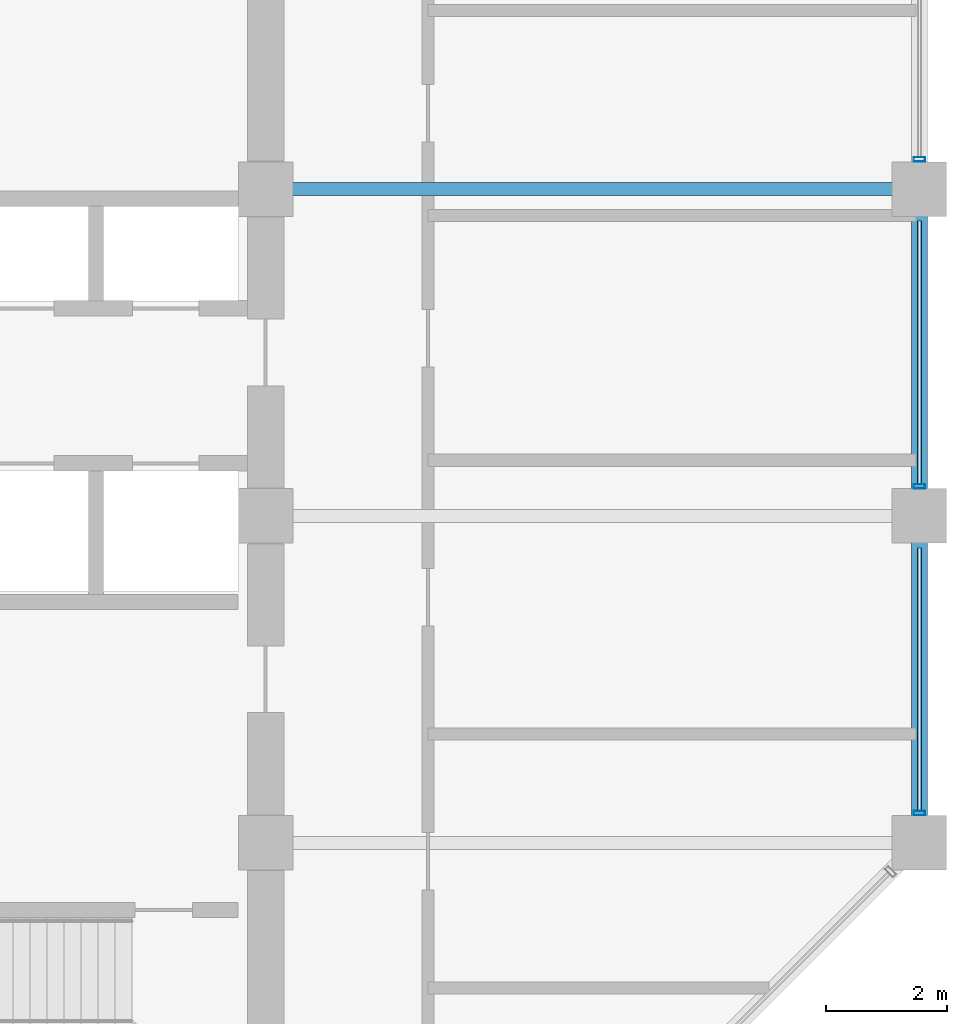
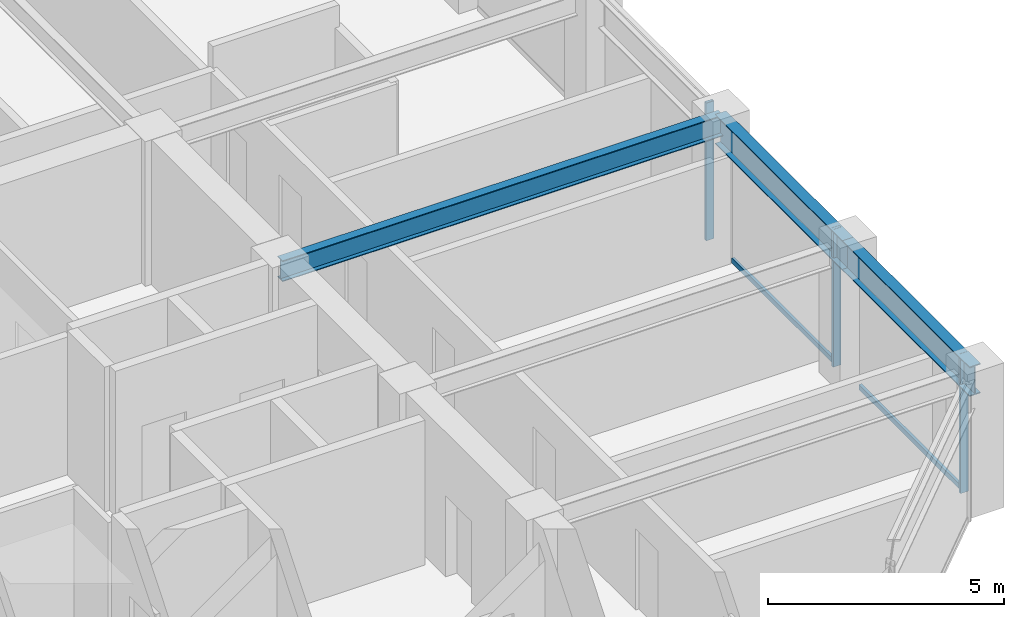
# One storey, part 14 of 32: 5 members, 3 beams, 1 element without a shape of its own.
"""IFC4 building model written with IfcOpenShell, lengths in metres."""

from ifc_helpers import new_model, si_unit, direction, frame, origin, origin_2d, place, context, subcontext, project, spatial, hollow_rectangle, i_section, extrude, material, layer, layer_set, material_profile, profile_set, type_object, element, aggregate, save


model = new_model("IFC4")

# Units and contexts
model_context = context("Model", 3, precision=1e-05, world=origin(), true_north=direction((0.0, 1.0)))
body_context = subcontext(model_context, "Body", "Model", "MODEL_VIEW")
ifc_project = project(units=[si_unit("LENGTHUNIT", "METRE"), si_unit("AREAUNIT", "SQUARE_METRE"), si_unit("VOLUMEUNIT", "CUBIC_METRE"), si_unit("PLANEANGLEUNIT", "RADIAN"), si_unit("MASSUNIT", "GRAM", prefix="KILO")], contexts=[model_context])

# Site, building, storey
site_placement = place(None, origin())
site = spatial("IfcSite", under=ifc_project, at=site_placement, CompositionType="ELEMENT")
building_placement = place(site_placement, origin())
building = spatial("IfcBuilding", under=site, at=building_placement, Name="Surkhivell Harbour Commons", CompositionType="ELEMENT")
storey_placement = place(building_placement, frame((0.0, 0.0, 212.25)))
storey = spatial("IfcBuildingStorey", under=building, at=storey_placement, Name="L55", CompositionType="ELEMENT", Elevation=212.25)

# Beams
ifc_material_1 = material(Name="Steel S355", Category="steel")
ifc_material_profile_1 = material_profile(ifc_material_1, i_section(OverallWidth=0.2119140625, OverallDepth=0.5439453125, WebThickness=0.0126953125, FlangeThickness=0.021240234375, at=origin_2d()), Name="UB533x210x122")
ifc_profile_set_1 = profile_set([ifc_material_profile_1], Name="Steel S355")
beam_type_1 = type_object("IfcBeamType", Name="BM-GRD-533A", PredefinedType="BEAM", material=ifc_profile_set_1)
beam_placement = place(storey_placement, frame((10.800048828125, 5.39990234375, 3.298095703125), z_axis=(1.0, 0.0, 0.0), x_axis=(0.0, 1.0, 0.0)))
element("IfcBeam", 1, at=beam_placement, inside=storey, type_object=beam_type_1, Name="L55 Floor Girder (10.8,5.4)", PredefinedType="BEAM", context=body_context, shape_type="SweptSolid", body=[
    extrude(i_section(OverallWidth=0.2119140625, OverallDepth=0.5439453125, WebThickness=0.0126953125, FlangeThickness=0.021240234375, at=origin_2d()), origin(), (0.0, 0.0, 1.0), 10.800048828125),
])
ifc_material_profile_2 = material_profile(ifc_material_1, i_section(OverallWidth=0.26806640625, OverallDepth=0.77001953125, WebThickness=0.015625, FlangeThickness=0.025390625, at=origin_2d()), Name="UB762x267x197")
ifc_profile_set_2 = profile_set([ifc_material_profile_2], Name="Steel S355")
beam_type_2 = type_object("IfcBeamType", Name="BM-SPN-762", PredefinedType="SPANDREL", material=ifc_profile_set_2)
for number, where, z_axis, x_axis, name in (
    (2, (21.60009765625, -5.39990234375, 3.18505859375), (0.0, 1.0, 0.0), (-1.0, 0.0, 0.0), "L55 Tube Spandrel (21.6,-5.4)"),
    (3, (21.60009765625, 0.0, 3.18505859375), (0.0, 1.0, 0.0), (-1.0, 0.0, 0.0), "L55 Tube Spandrel (21.6,0.0)"),
):
    element("IfcBeam", number, at=place(storey_placement, frame(where, z_axis=z_axis, x_axis=x_axis)), inside=storey, type_object=beam_type_2, Name=name, PredefinedType="SPANDREL", context=body_context, shape_type="SweptSolid", body=[
        extrude(i_section(OverallWidth=0.26806640625, OverallDepth=0.77001953125, WebThickness=0.015625, FlangeThickness=0.025390625, at=origin_2d()), origin(), (0.0, 0.0, 1.0), 5.39990234375),
    ])

# Curtain wall, members
ifc_material_2 = material(Name="Anodised pale-metal aluminium and insulated glazing", Category="aluminium")
ifc_layer = layer(ifc_material_2, 0.18994140625)
ifc_layer_set = layer_set([ifc_layer], Name="Anodised pale-metal aluminium and insulated glazing")
curtain_wall_type = type_object("IfcCurtainWallType", Name="CW-SYS-Z3", PredefinedType="NOTDEFINED", material=ifc_layer_set)
curtain_wall_placement = place(storey_placement, origin())
curtain_wall = element("IfcCurtainWall", 4, at=curtain_wall_placement, inside=storey, type_object=curtain_wall_type, Name="L55 Curtain Wall CW-L55-E02", PredefinedType="NOTDEFINED")
ifc_material_3 = material(Name="Anodised pale-metal aluminium alloy 6063-T6", Category="aluminium")
ifc_material_profile_3 = material_profile(ifc_material_3, hollow_rectangle(XDim=0.074951171875, YDim=0.18994140625, WallThickness=0.00390625, at=origin_2d()), Name="ALU-MULL-75x190")
ifc_profile_set_3 = profile_set([ifc_material_profile_3], Name="Anodised pale-metal aluminium alloy 6063-T6")
member_type_1 = type_object("IfcMemberType", Name="CWM-190", PredefinedType="MULLION", material=ifc_profile_set_3)
member_1_placement = place(storey_placement, frame((21.60009765625, -4.910400390625, 0.0), z_axis=(0.0, 0.0, 1.0), x_axis=(0.0, 1.0, 0.0)))
member_1 = element("IfcMember", 5, at=member_1_placement, type_object=member_type_1, Name="CW-Z3 mullion 1", PredefinedType="MULLION", context=body_context, shape_type="SweptSolid", body=[
    extrude(hollow_rectangle(XDim=0.074951171875, YDim=0.18994140625, WallThickness=0.00390625, at=origin_2d()), origin(), (0.0, 0.0, 1.0), 3.570068359375),
])
member_2_placement = place(storey_placement, frame((21.60009765625, 0.489501953125, 0.0), z_axis=(0.0, 0.0, 1.0), x_axis=(0.0, 1.0, 0.0)))
member_2 = element("IfcMember", 6, at=member_2_placement, type_object=member_type_1, Name="CW-Z3 mullion 2", PredefinedType="MULLION", context=body_context, shape_type="SweptSolid", body=[
    extrude(hollow_rectangle(XDim=0.074951171875, YDim=0.18994140625, WallThickness=0.00390625, at=origin_2d()), origin(), (0.0, 0.0, 1.0), 3.570068359375),
])
member_3_placement = place(storey_placement, frame((21.60009765625, 5.889404296875, 0.0), z_axis=(0.0, 0.0, 1.0), x_axis=(0.0, 1.0, 0.0)))
member_3 = element("IfcMember", 7, at=member_3_placement, type_object=member_type_1, Name="CW-Z3 mullion 3", PredefinedType="MULLION", context=body_context, shape_type="SweptSolid", body=[
    extrude(hollow_rectangle(XDim=0.074951171875, YDim=0.18994140625, WallThickness=0.00390625, at=origin_2d()), origin(), (0.0, 0.0, 1.0), 3.570068359375),
])
ifc_material_4 = material(Name="Champagne anodised aluminium alloy 6063-T6", Category="aluminium")
ifc_material_profile_4 = material_profile(ifc_material_4, hollow_rectangle(XDim=0.070068359375, YDim=0.1298828125, WallThickness=0.00341796875, at=origin_2d()), Name="ALU-TRAN-70x130")
ifc_profile_set_4 = profile_set([ifc_material_profile_4], Name="Champagne anodised aluminium alloy 6063-T6")
member_type_2 = type_object("IfcMemberType", Name="CWT-130", PredefinedType="USERDEFINED", material=ifc_profile_set_4)
member_4_placement = place(storey_placement, frame((21.60009765625, -4.873046875, 0.06494140625), z_axis=(0.0, 1.0, 0.0), x_axis=(-1.0, 0.0, 0.0)))
member_4 = element("IfcMember", 8, at=member_4_placement, type_object=member_type_2, Name="CW-Z3 transom 1.1", ObjectType="TRANSOM", PredefinedType="USERDEFINED", context=body_context, shape_type="SweptSolid", body=[
    extrude(hollow_rectangle(XDim=0.070068359375, YDim=0.1298828125, WallThickness=0.00341796875, at=origin_2d()), origin(), (0.0, 0.0, 1.0), 4.345947265625),
])
member_5_placement = place(storey_placement, frame((21.60009765625, 0.527099609375, 0.06494140625), z_axis=(0.0, 1.0, 0.0), x_axis=(-1.0, 0.0, 0.0)))
member_5 = element("IfcMember", 9, at=member_5_placement, type_object=member_type_2, Name="CW-Z3 transom 2.1", ObjectType="TRANSOM", PredefinedType="USERDEFINED", context=body_context, shape_type="SweptSolid", body=[
    extrude(hollow_rectangle(XDim=0.070068359375, YDim=0.1298828125, WallThickness=0.00341796875, at=origin_2d()), origin(), (0.0, 0.0, 1.0), 4.345947265625),
])
aggregate(curtain_wall, [member_1, member_4, member_2, member_5, member_3])

save(model, "model.ifc")
